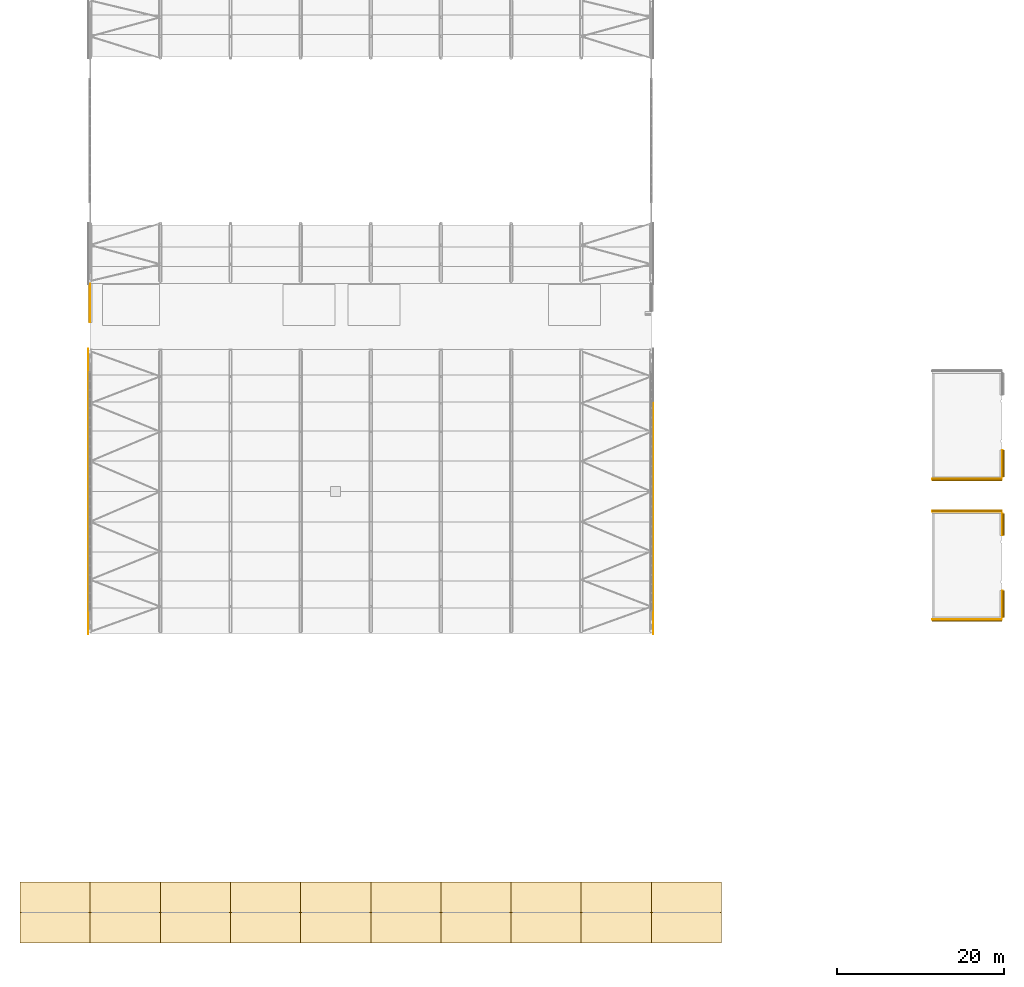
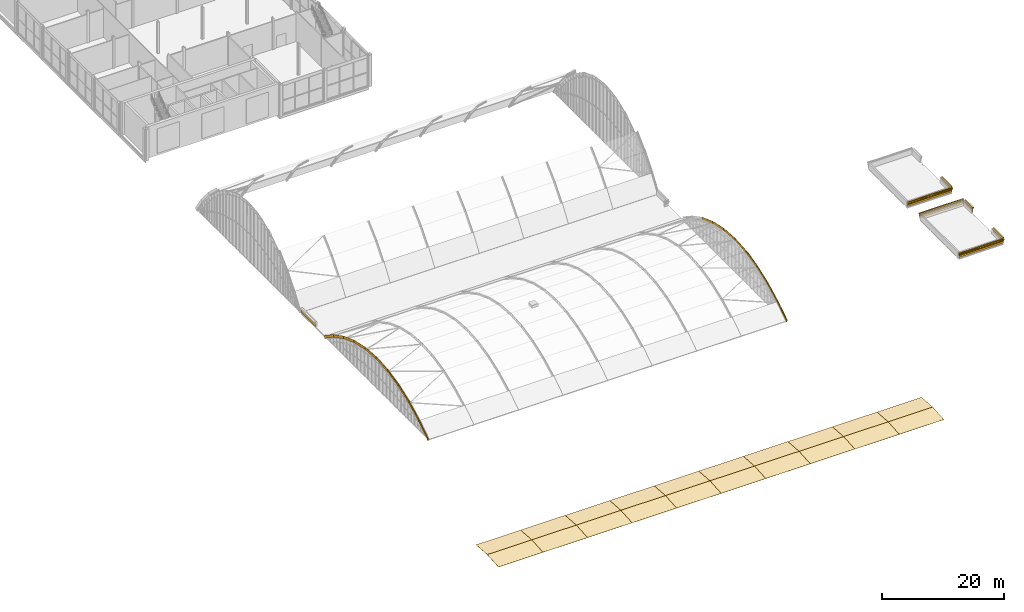
# One storey, part 70 of 77: 63 coverings.
"""IFC4 building model written with IfcOpenShell, lengths in metres."""

from ifc_helpers import new_model, si_unit, direction, frame, origin, origin_2d, place, context, subcontext, project, spatial, polyline, rectangle, outline, extrude, material, layer, layer_set, type_object, element, save


model = new_model("IFC4")

# Units and contexts
model_context = context("Model", 3, precision=1e-05, world=origin(), true_north=direction((0.0, 1.0)))
body_context = subcontext(model_context, "Body", "Model", "MODEL_VIEW")
ifc_project = project(units=[si_unit("LENGTHUNIT", "METRE"), si_unit("AREAUNIT", "SQUARE_METRE"), si_unit("VOLUMEUNIT", "CUBIC_METRE"), si_unit("PLANEANGLEUNIT", "RADIAN"), si_unit("MASSUNIT", "GRAM", prefix="KILO")], contexts=[model_context])

# Site, building, storey
site_placement = place(None, origin())
site = spatial("IfcSite", under=ifc_project, at=site_placement, CompositionType="ELEMENT")
building_placement = place(site_placement, origin())
building = spatial("IfcBuilding", under=site, at=building_placement, Name="Catenary Quay Ferry Terminal", CompositionType="ELEMENT")
storey_placement = place(building_placement, frame((0.0, 0.0, 10.800048828125)))
storey = spatial("IfcBuildingStorey", under=building, at=storey_placement, Name="L02", CompositionType="ELEMENT", Elevation=10.800048828125)

# Coverings
ifc_material_1 = material(Name="Pale glazed ceramic tile")
ifc_layer_1 = layer(ifc_material_1, 0.0400390625)
ifc_layer_set_1 = layer_set([ifc_layer_1], Name="AR1")
covering_type_1 = type_object("IfcCoveringType", Name="AR1", PredefinedType="CLADDING", material=ifc_layer_set_1)
covering_1_placement = place(storey_placement, frame((24.996826171875, 67.199951171875, 0.0), z_axis=(1.0, 0.0, 0.0), x_axis=(0.0, 0.831936388081, 0.554871017613)))
element("IfcCovering", 1, at=covering_1_placement, inside=storey, type_object=covering_type_1, Name="Archivolt band, arrivals vault gable", PredefinedType="CLADDING", context=body_context, shape_type="SweptSolid", body=[
    extrude(outline(polyline([(0.0, 0.0), (3.627761027752788, 2.220446049250313e-16), (3.6551517905300117, 0.4999829425589075), (0.00010265555468169651, 0.4999885452388287), (0.0, 0.0)])), origin(), (0.0, 0.0, -1.0), 0.0400390625),
])
covering_2_placement = place(storey_placement, frame((24.996826171875, 70.218017578125, 2.012939453125), z_axis=(1.0, 0.0, 0.0), x_axis=(0.0, 0.887609848797, 0.460596088041)))
element("IfcCovering", 2, at=covering_2_placement, inside=storey, type_object=covering_type_1, Name="Archivolt band, arrivals vault gable", PredefinedType="CLADDING", context=body_context, shape_type="SweptSolid", body=[
    extrude(outline(polyline([(0.0, 0.0), (3.6276869927576785, 2.220446049250313e-16), (3.6586770007903455, 0.5001950769907189), (-0.027432710160082335, 0.49998064277395277), (0.0, 0.0)])), origin(), (0.0, 0.0, -1.0), 0.0400390625),
])
covering_3_placement = place(storey_placement, frame((24.996826171875, 73.43798828125, 3.683837890625), z_axis=(1.0, 0.0, 0.0), x_axis=(0.0, 0.937641576687, 0.347603615728)))
element("IfcCovering", 3, at=covering_3_placement, inside=storey, type_object=covering_type_1, Name="Archivolt band, arrivals vault gable", PredefinedType="CLADDING", context=body_context, shape_type="SweptSolid", body=[
    extrude(outline(polyline([(0.0, 0.0), (3.62835831298576, 2.220446049250313e-16), (3.662370559005528, 0.49981355558075746), (-0.030939493043488087, 0.500198204128951), (0.0, 0.0)])), origin(), (0.0, 0.0, -1.0), 0.0400390625),
])
covering_4_placement = place(storey_placement, frame((24.996826171875, 76.840087890625, 4.945068359375), z_axis=(1.0, 0.0, 0.0), x_axis=(0.0, 0.976201307112, 0.216866336698)))
element("IfcCovering", 4, at=covering_4_placement, inside=storey, type_object=covering_type_1, Name="Archivolt band, arrivals vault gable", PredefinedType="CLADDING", context=body_context, shape_type="SweptSolid", body=[
    extrude(outline(polyline([(0.0, 0.0), (3.6283419840719344, 0.0), (3.6644288991202147, 0.5001711320949519), (-0.03427246308823012, 0.4997957797895597), (0.0, 0.0)])), origin(), (0.0, 0.0, -1.0), 0.0400390625),
])
covering_5_placement = place(storey_placement, frame((24.996826171875, 80.382080078125, 5.73193359375), z_axis=(1.0, 0.0, 0.0), x_axis=(0.0, 0.997266285305, 0.073891516382)))
element("IfcCovering", 5, at=covering_5_placement, inside=storey, type_object=covering_type_1, Name="Archivolt band, arrivals vault gable", PredefinedType="CLADDING", context=body_context, shape_type="SweptSolid", body=[
    extrude(outline(polyline([(0.0, 0.0), (3.6278373942694557, 0.0), (3.6648913919864206, 0.5000939819377984), (-0.03638484480061679, 0.5001495475232209), (0.0, 0.0)])), origin(), (0.0, 0.0, -1.0), 0.0400390625),
])
covering_6_placement = place(storey_placement, frame((24.996826171875, 84.0, 6.0), z_axis=(1.0, 0.0, 0.0), x_axis=(0.0, 0.997266285305, -0.073891516382)))
element("IfcCovering", 6, at=covering_6_placement, inside=storey, type_object=covering_type_1, Name="Archivolt band, arrivals vault gable", PredefinedType="CLADDING", context=body_context, shape_type="SweptSolid", body=[
    extrude(outline(polyline([(0.0, 0.0), (3.6278373942694557, 0.0), (3.6642222390700727, 0.5001495475232209), (-0.03705399771696489, 0.5000939819377984), (0.0, 0.0)])), origin(), (0.0, 0.0, -1.0), 0.0400390625),
])
covering_7_placement = place(storey_placement, frame((24.996826171875, 87.617919921875, 5.73193359375), z_axis=(1.0, 0.0, 0.0), x_axis=(0.0, 0.976201307112, -0.216866336698)))
element("IfcCovering", 7, at=covering_7_placement, inside=storey, type_object=covering_type_1, Name="Archivolt band, arrivals vault gable", PredefinedType="CLADDING", context=body_context, shape_type="SweptSolid", body=[
    extrude(outline(polyline([(0.0, 0.0), (3.6283419840719344, 0.0), (3.6626144471601645, 0.4997957797895597), (-0.03608691504828025, 0.500171132094952), (0.0, 0.0)])), origin(), (0.0, 0.0, -1.0), 0.0400390625),
])
covering_8_placement = place(storey_placement, frame((24.996826171875, 91.159912109375, 4.945068359375), z_axis=(1.0, 0.0, 0.0), x_axis=(0.0, 0.937641576687, -0.347603615728)))
element("IfcCovering", 8, at=covering_8_placement, inside=storey, type_object=covering_type_1, Name="Archivolt band, arrivals vault gable", PredefinedType="CLADDING", context=body_context, shape_type="SweptSolid", body=[
    extrude(outline(polyline([(0.0, 0.0), (3.62835831298576, -2.220446049250313e-16), (3.6592978060292483, 0.5001982041289509), (-0.034012246019767906, 0.49981355558075746), (0.0, 0.0)])), origin(), (0.0, 0.0, -1.0), 0.0400390625),
])
covering_9_placement = place(storey_placement, frame((24.996826171875, 94.56201171875, 3.683837890625), z_axis=(1.0, 0.0, 0.0), x_axis=(0.0, 0.887609848797, -0.460596088041)))
element("IfcCovering", 9, at=covering_9_placement, inside=storey, type_object=covering_type_1, Name="Archivolt band, arrivals vault gable", PredefinedType="CLADDING", context=body_context, shape_type="SweptSolid", body=[
    extrude(outline(polyline([(0.0, 0.0), (3.6276869927576785, -2.220446049250313e-16), (3.655119702917761, 0.4999806427739528), (-0.030990008032667188, 0.5001950769907186), (0.0, 0.0)])), origin(), (0.0, 0.0, -1.0), 0.0400390625),
])
covering_10_placement = place(storey_placement, frame((24.996826171875, 97.781982421875, 2.012939453125), z_axis=(1.0, 0.0, 0.0), x_axis=(0.0, 0.831936388081, -0.554871017613)))
element("IfcCovering", 10, at=covering_10_placement, inside=storey, type_object=covering_type_1, Name="Archivolt band, arrivals vault gable", PredefinedType="CLADDING", context=body_context, shape_type="SweptSolid", body=[
    extrude(outline(polyline([(0.0, 0.0), (3.627761027752788, -2.220446049250313e-16), (3.6276583721981064, 0.49998854523882863), (-0.02739076277722341, 0.49998294255890774), (0.0, 0.0)])), origin(), (0.0, 0.0, -1.0), 0.0400390625),
])
covering_11_placement = place(storey_placement, frame((92.603271484375, 66.922607421875, 0.416015625), z_axis=(-1.0, 0.0, 0.0), x_axis=(0.0, 0.83193723862, 0.55486974237)))
element("IfcCovering", 11, at=covering_11_placement, inside=storey, type_object=covering_type_1, Name="Archivolt band, arrivals vault gable", PredefinedType="CLADDING", context=body_context, shape_type="SweptSolid", body=[
    extrude(outline(polyline([(0.0, 0.0), (3.655049134979624, -2.220446049250313e-16), (3.6276591386064645, 0.4999829845445345), (-0.0001018891420617174, 0.4999885453955979), (0.0, 0.0)])), origin(), (0.0, 0.0, -1.0), 0.0400390625),
])
covering_12_placement = place(storey_placement, frame((92.603271484375, 69.96337890625, 2.444091796875), z_axis=(-1.0, 0.0, 0.0), x_axis=(0.0, 0.88758305277, 0.460647722708)))
element("IfcCovering", 12, at=covering_12_placement, inside=storey, type_object=covering_type_1, Name="Archivolt band, arrivals vault gable", PredefinedType="CLADDING", context=body_context, shape_type="SweptSolid", body=[
    extrude(outline(polyline([(0.0, 0.0), (3.6861097171876316, 0.0), (3.6550906110665995, 0.500193273344482), (0.027403624447268377, 0.4999822377870389), (0.0, 0.0)])), origin(), (0.0, 0.0, -1.0), 0.0400390625),
])
covering_13_placement = place(storey_placement, frame((92.603271484375, 73.235107421875, 4.14208984375), z_axis=(-1.0, 0.0, 0.0), x_axis=(0.0, 0.937677773606, 0.347505960934)))
element("IfcCovering", 13, at=covering_13_placement, inside=storey, type_object=covering_type_1, Name="Archivolt band, arrivals vault gable", PredefinedType="CLADDING", context=body_context, shape_type="SweptSolid", body=[
    extrude(outline(polyline([(0.0, 0.0), (3.693310072079085, 2.220446049250313e-16), (3.6593498805134614, 0.4998170951562324), (0.030991587205514037, 0.5001949791492302), (0.0, 0.0)])), origin(), (0.0, 0.0, -1.0), 0.0400390625),
])
covering_14_placement = place(storey_placement, frame((92.603271484375, 76.6982421875, 5.425537109375), z_axis=(-1.0, 0.0, 0.0), x_axis=(0.0, 0.976179294015, 0.216965402625)))
element("IfcCovering", 14, at=covering_14_placement, inside=storey, type_object=covering_type_1, Name="Archivolt band, arrivals vault gable", PredefinedType="CLADDING", context=body_context, shape_type="SweptSolid", body=[
    extrude(outline(polyline([(0.0, 0.0), (3.698701381254231, 0.0), (3.6625637079313926, 0.5001674673403493), (0.034221742542941955, 0.4997992552604623), (0.0, 0.0)])), origin(), (0.0, 0.0, -1.0), 0.0400390625),
])
covering_15_placement = place(storey_placement, frame((92.603271484375, 80.308837890625, 6.22802734375), z_axis=(-1.0, 0.0, 0.0), x_axis=(0.0, 0.997267394493, 0.073876544866)))
element("IfcCovering", 15, at=covering_15_placement, inside=storey, type_object=covering_type_1, Name="Archivolt band, arrivals vault gable", PredefinedType="CLADDING", context=body_context, shape_type="SweptSolid", body=[
    extrude(outline(polyline([(0.0, 0.0), (3.7012762372041283, 0.0), (3.664229747176011, 0.5000945381563455), (0.036392353315369566, 0.5001490012376482), (0.0, 0.0)])), origin(), (0.0, 0.0, -1.0), 0.0400390625),
])
covering_16_placement = place(storey_placement, frame((92.603271484375, 84.0, 6.50146484375), z_axis=(-1.0, 0.0, 0.0), x_axis=(0.0, 0.997267394493, -0.073876544866)))
element("IfcCovering", 16, at=covering_16_placement, inside=storey, type_object=covering_type_1, Name="Archivolt band, arrivals vault gable", PredefinedType="CLADDING", context=body_context, shape_type="SweptSolid", body=[
    extrude(outline(polyline([(0.0, 0.0), (3.7012762372041283, 0.0), (3.6648838838887587, 0.5001490012376482), (0.0370464900281174, 0.5000945381563455), (0.0, 0.0)])), origin(), (0.0, 0.0, -1.0), 0.0400390625),
])
covering_17_placement = place(storey_placement, frame((92.603271484375, 87.691162109375, 6.22802734375), z_axis=(-1.0, 0.0, 0.0), x_axis=(0.0, 0.976179294015, -0.216965402625)))
element("IfcCovering", 17, at=covering_17_placement, inside=storey, type_object=covering_type_1, Name="Archivolt band, arrivals vault gable", PredefinedType="CLADDING", context=body_context, shape_type="SweptSolid", body=[
    extrude(outline(polyline([(0.0, 0.0), (3.698701381254231, 0.0), (3.6644796387112892, 0.4997992552604624), (0.03613767332283853, 0.5001674673403494), (0.0, 0.0)])), origin(), (0.0, 0.0, -1.0), 0.0400390625),
])
covering_18_placement = place(storey_placement, frame((92.603271484375, 91.3017578125, 5.425537109375), z_axis=(-1.0, 0.0, 0.0), x_axis=(0.0, 0.937677773606, -0.347505960934)))
element("IfcCovering", 18, at=covering_18_placement, inside=storey, type_object=covering_type_1, Name="Archivolt band, arrivals vault gable", PredefinedType="CLADDING", context=body_context, shape_type="SweptSolid", body=[
    extrude(outline(polyline([(0.0, 0.0), (3.693310072079085, -2.220446049250313e-16), (3.6623184848735706, 0.5001949791492302), (0.03396019156562327, 0.49981709515623246), (0.0, 0.0)])), origin(), (0.0, 0.0, -1.0), 0.0400390625),
])
ifc_material_2 = material(Name="Facing brick", Category="masonry")
ifc_layer_2 = layer(ifc_material_2, 0.10009765625)
ifc_layer_set_2 = layer_set([ifc_layer_2], Name="CN1")
covering_type_2 = type_object("IfcCoveringType", Name="CN1", PredefinedType="CLADDING", material=ifc_layer_set_2)
covering_19_placement = place(storey_placement, frame((130.199951171875, 68.66259765625, 0.64990234375), z_axis=(0.0, 0.0, 1.0), x_axis=(1.0, 0.0, 0.0)))
element("IfcCovering", 19, at=covering_19_placement, inside=storey, type_object=covering_type_2, Name="Brick corbelled cornice", PredefinedType="CLADDING", context=body_context, shape_type="SweptSolid", body=[
    extrude(rectangle(XDim=8.360107421875, YDim=0.074951171875, at=origin_2d()), origin(), (0.0, 0.0, 1.0), 0.14990234375),
])
covering_20_placement = place(storey_placement, frame((130.199951171875, 68.625, 0.800048828125), z_axis=(0.0, 0.0, 1.0), x_axis=(1.0, 0.0, 0.0)))
element("IfcCovering", 20, at=covering_20_placement, inside=storey, type_object=covering_type_2, Name="Brick corbelled cornice", PredefinedType="CLADDING", context=body_context, shape_type="SweptSolid", body=[
    extrude(rectangle(XDim=8.360107421875, YDim=0.14990234375, at=origin_2d()), origin(), (0.0, 0.0, 1.0), 0.14990234375),
])
covering_21_placement = place(storey_placement, frame((130.199951171875, 68.58740234375, 0.949951171875), z_axis=(0.0, 0.0, 1.0), x_axis=(1.0, 0.0, 0.0)))
element("IfcCovering", 21, at=covering_21_placement, inside=storey, type_object=covering_type_2, Name="Brick corbelled cornice", PredefinedType="CLADDING", context=body_context, shape_type="SweptSolid", body=[
    extrude(rectangle(XDim=8.360107421875, YDim=0.22509765625, at=origin_2d()), origin(), (0.0, 0.0, 1.0), 0.14990234375),
])
covering_22_placement = place(storey_placement, frame((130.199951171875, 81.637451171875, 0.64990234375), z_axis=(0.0, 0.0, 1.0), x_axis=(1.0, 0.0, 0.0)))
element("IfcCovering", 22, at=covering_22_placement, inside=storey, type_object=covering_type_2, Name="Brick corbelled cornice", PredefinedType="CLADDING", context=body_context, shape_type="SweptSolid", body=[
    extrude(rectangle(XDim=8.360107421875, YDim=0.074951171875, at=origin_2d()), origin(), (0.0, 0.0, 1.0), 0.14990234375),
])
covering_23_placement = place(storey_placement, frame((130.199951171875, 81.675048828125, 0.800048828125), z_axis=(0.0, 0.0, 1.0), x_axis=(1.0, 0.0, 0.0)))
element("IfcCovering", 23, at=covering_23_placement, inside=storey, type_object=covering_type_2, Name="Brick corbelled cornice", PredefinedType="CLADDING", context=body_context, shape_type="SweptSolid", body=[
    extrude(rectangle(XDim=8.360107421875, YDim=0.14990234375, at=origin_2d()), origin(), (0.0, 0.0, 1.0), 0.14990234375),
])
covering_24_placement = place(storey_placement, frame((130.199951171875, 81.71240234375, 0.949951171875), z_axis=(0.0, 0.0, 1.0), x_axis=(1.0, 0.0, 0.0)))
element("IfcCovering", 24, at=covering_24_placement, inside=storey, type_object=covering_type_2, Name="Brick corbelled cornice", PredefinedType="CLADDING", context=body_context, shape_type="SweptSolid", body=[
    extrude(rectangle(XDim=8.360107421875, YDim=0.22509765625, at=origin_2d()), origin(), (0.0, 0.0, 1.0), 0.14990234375),
])
covering_25_placement = place(storey_placement, frame((130.199951171875, 85.46240234375, 0.64990234375), z_axis=(0.0, 0.0, 1.0), x_axis=(1.0, 0.0, 0.0)))
element("IfcCovering", 25, at=covering_25_placement, inside=storey, type_object=covering_type_2, Name="Brick corbelled cornice", PredefinedType="CLADDING", context=body_context, shape_type="SweptSolid", body=[
    extrude(rectangle(XDim=8.360107421875, YDim=0.074951171875, at=origin_2d()), origin(), (0.0, 0.0, 1.0), 0.14990234375),
])
covering_26_placement = place(storey_placement, frame((130.199951171875, 85.425048828125, 0.800048828125), z_axis=(0.0, 0.0, 1.0), x_axis=(1.0, 0.0, 0.0)))
element("IfcCovering", 26, at=covering_26_placement, inside=storey, type_object=covering_type_2, Name="Brick corbelled cornice", PredefinedType="CLADDING", context=body_context, shape_type="SweptSolid", body=[
    extrude(rectangle(XDim=8.360107421875, YDim=0.14990234375, at=origin_2d()), origin(), (0.0, 0.0, 1.0), 0.14990234375),
])
covering_27_placement = place(storey_placement, frame((130.199951171875, 85.387451171875, 0.949951171875), z_axis=(0.0, 0.0, 1.0), x_axis=(1.0, 0.0, 0.0)))
element("IfcCovering", 27, at=covering_27_placement, inside=storey, type_object=covering_type_2, Name="Brick corbelled cornice", PredefinedType="CLADDING", context=body_context, shape_type="SweptSolid", body=[
    extrude(rectangle(XDim=8.360107421875, YDim=0.22509765625, at=origin_2d()), origin(), (0.0, 0.0, 1.0), 0.14990234375),
])
covering_28_placement = place(storey_placement, frame((134.4375, 80.050048828125, 0.64990234375), z_axis=(0.0, 0.0, 1.0), x_axis=(1.0, 0.0, 0.0)))
element("IfcCovering", 28, at=covering_28_placement, inside=storey, type_object=covering_type_2, Name="Brick corbelled cornice", PredefinedType="CLADDING", context=body_context, shape_type="SweptSolid", body=[
    extrude(rectangle(XDim=0.074951171875, YDim=2.56005859375, at=origin_2d()), origin(), (0.0, 0.0, 1.0), 0.14990234375),
])
covering_29_placement = place(storey_placement, frame((134.47509765625, 80.050048828125, 0.800048828125), z_axis=(0.0, 0.0, 1.0), x_axis=(1.0, 0.0, 0.0)))
element("IfcCovering", 29, at=covering_29_placement, inside=storey, type_object=covering_type_2, Name="Brick corbelled cornice", PredefinedType="CLADDING", context=body_context, shape_type="SweptSolid", body=[
    extrude(rectangle(XDim=0.14990234375, YDim=2.56005859375, at=origin_2d()), origin(), (0.0, 0.0, 1.0), 0.14990234375),
])
covering_30_placement = place(storey_placement, frame((134.512451171875, 80.050048828125, 0.949951171875), z_axis=(0.0, 0.0, 1.0), x_axis=(1.0, 0.0, 0.0)))
element("IfcCovering", 30, at=covering_30_placement, inside=storey, type_object=covering_type_2, Name="Brick corbelled cornice", PredefinedType="CLADDING", context=body_context, shape_type="SweptSolid", body=[
    extrude(rectangle(XDim=0.22509765625, YDim=2.56005859375, at=origin_2d()), origin(), (0.0, 0.0, 1.0), 0.14990234375),
])
covering_31_placement = place(storey_placement, frame((134.4375, 70.550048828125, 0.64990234375), z_axis=(0.0, 0.0, 1.0), x_axis=(1.0, 0.0, 0.0)))
element("IfcCovering", 31, at=covering_31_placement, inside=storey, type_object=covering_type_2, Name="Brick corbelled cornice", PredefinedType="CLADDING", context=body_context, shape_type="SweptSolid", body=[
    extrude(rectangle(XDim=0.074951171875, YDim=3.159912109375, at=origin_2d()), origin(), (0.0, 0.0, 1.0), 0.14990234375),
])
covering_32_placement = place(storey_placement, frame((134.47509765625, 70.550048828125, 0.800048828125), z_axis=(0.0, 0.0, 1.0), x_axis=(1.0, 0.0, 0.0)))
element("IfcCovering", 32, at=covering_32_placement, inside=storey, type_object=covering_type_2, Name="Brick corbelled cornice", PredefinedType="CLADDING", context=body_context, shape_type="SweptSolid", body=[
    extrude(rectangle(XDim=0.14990234375, YDim=3.159912109375, at=origin_2d()), origin(), (0.0, 0.0, 1.0), 0.14990234375),
])
covering_33_placement = place(storey_placement, frame((134.512451171875, 70.550048828125, 0.949951171875), z_axis=(0.0, 0.0, 1.0), x_axis=(1.0, 0.0, 0.0)))
element("IfcCovering", 33, at=covering_33_placement, inside=storey, type_object=covering_type_2, Name="Brick corbelled cornice", PredefinedType="CLADDING", context=body_context, shape_type="SweptSolid", body=[
    extrude(rectangle(XDim=0.22509765625, YDim=3.159912109375, at=origin_2d()), origin(), (0.0, 0.0, 1.0), 0.14990234375),
])
covering_34_placement = place(storey_placement, frame((134.4375, 87.35009765625, 0.64990234375), z_axis=(0.0, 0.0, 1.0), x_axis=(1.0, 0.0, 0.0)))
element("IfcCovering", 34, at=covering_34_placement, inside=storey, type_object=covering_type_2, Name="Brick corbelled cornice", PredefinedType="CLADDING", context=body_context, shape_type="SweptSolid", body=[
    extrude(rectangle(XDim=0.074951171875, YDim=3.159912109375, at=origin_2d()), origin(), (0.0, 0.0, 1.0), 0.14990234375),
])
covering_35_placement = place(storey_placement, frame((134.47509765625, 87.35009765625, 0.800048828125), z_axis=(0.0, 0.0, 1.0), x_axis=(1.0, 0.0, 0.0)))
element("IfcCovering", 35, at=covering_35_placement, inside=storey, type_object=covering_type_2, Name="Brick corbelled cornice", PredefinedType="CLADDING", context=body_context, shape_type="SweptSolid", body=[
    extrude(rectangle(XDim=0.14990234375, YDim=3.159912109375, at=origin_2d()), origin(), (0.0, 0.0, 1.0), 0.14990234375),
])
covering_36_placement = place(storey_placement, frame((134.512451171875, 87.35009765625, 0.949951171875), z_axis=(0.0, 0.0, 1.0), x_axis=(1.0, 0.0, 0.0)))
element("IfcCovering", 36, at=covering_36_placement, inside=storey, type_object=covering_type_2, Name="Brick corbelled cornice", PredefinedType="CLADDING", context=body_context, shape_type="SweptSolid", body=[
    extrude(rectangle(XDim=0.22509765625, YDim=3.159912109375, at=origin_2d()), origin(), (0.0, 0.0, 1.0), 0.14990234375),
])
ifc_material_3 = material(Name="Ceramic tile")
ifc_layer_3 = layer(ifc_material_3, 0.030029296875)
ifc_layer_set_3 = layer_set([ifc_layer_3], Name="FR1")
covering_type_3 = type_object("IfcCoveringType", Name="FR1", PredefinedType="CLADDING", material=ifc_layer_set_3)
for number, where, z_axis, x_axis, name in (
    (37, (130.199951171875, 68.68505859375, 0.2001953125), (0.0, 0.0, 1.0), (1.0, 0.0, 0.0), "Glazed tile frieze"),
    (38, (130.199951171875, 81.614990234375, 0.2001953125), (0.0, 0.0, 1.0), (1.0, 0.0, 0.0), "Glazed tile frieze"),
    (39, (130.199951171875, 85.485107421875, 0.2001953125), (0.0, 0.0, 1.0), (1.0, 0.0, 0.0), "Glazed tile frieze"),
):
    element("IfcCovering", number, at=place(storey_placement, frame(where, z_axis=z_axis, x_axis=x_axis)), inside=storey, type_object=covering_type_3, Name=name, PredefinedType="CLADDING", context=body_context, shape_type="SweptSolid", body=[
        extrude(rectangle(XDim=8.360107421875, YDim=0.030029296875, at=origin_2d()), origin(), (0.0, 0.0, 1.0), 0.449951171875),
    ])
covering_37_placement = place(storey_placement, frame((134.4150390625, 80.050048828125, 0.2001953125), z_axis=(0.0, 0.0, 1.0), x_axis=(1.0, 0.0, 0.0)))
element("IfcCovering", 40, at=covering_37_placement, inside=storey, type_object=covering_type_3, Name="Glazed tile frieze", PredefinedType="CLADDING", context=body_context, shape_type="SweptSolid", body=[
    extrude(rectangle(XDim=0.030029296875, YDim=2.56005859375, at=origin_2d()), origin(), (0.0, 0.0, 1.0), 0.449951171875),
])
for number, where, z_axis, x_axis, name in (
    (41, (134.4150390625, 70.550048828125, 0.2001953125), (0.0, 0.0, 1.0), (1.0, 0.0, 0.0), "Glazed tile frieze"),
    (42, (134.4150390625, 87.35009765625, 0.2001953125), (0.0, 0.0, 1.0), (1.0, 0.0, 0.0), "Glazed tile frieze"),
):
    element("IfcCovering", number, at=place(storey_placement, frame(where, z_axis=z_axis, x_axis=x_axis)), inside=storey, type_object=covering_type_3, Name=name, PredefinedType="CLADDING", context=body_context, shape_type="SweptSolid", body=[
        extrude(rectangle(XDim=0.030029296875, YDim=3.159912109375, at=origin_2d()), origin(), (0.0, 0.0, 1.0), 0.449951171875),
    ])
covering_38_placement = place(storey_placement, frame((25.18505859375, 106.574951171875, 0.2001953125), z_axis=(0.0, 0.0, 1.0), x_axis=(1.0, 0.0, 0.0)))
element("IfcCovering", 43, at=covering_38_placement, inside=storey, type_object=covering_type_3, Name="Glazed tile frieze", PredefinedType="CLADDING", context=body_context, shape_type="SweptSolid", body=[
    extrude(rectangle(XDim=0.030029296875, YDim=4.610107421875, at=origin_2d()), origin(), (0.0, 0.0, 1.0), 0.449951171875),
])
ifc_material_4 = material(Name="Laminated glass", Category="glass")
ifc_layer_4 = layer(ifc_material_4, 0.030029296875)
ifc_layer_set_4 = layer_set([ifc_layer_4], Name="RF2")
covering_type_4 = type_object("IfcCoveringType", Name="RF2", PredefinedType="ROOFING", material=ifc_layer_set_4)
covering_39_placement = place(storey_placement, frame((16.800048828125, 29.9384765625, 0.227294921875), z_axis=(0.0, -0.073874134793, 0.997267573026), x_axis=(1.0, 0.0, 0.0)))
element("IfcCovering", 44, at=covering_39_placement, inside=storey, type_object=covering_type_4, Name="Vehicle Deck canopy roof", PredefinedType="ROOFING", context=body_context, shape_type="SweptSolid", body=[
    extrude(outline(polyline([(0.0, 0.0), (8.39990234375, 0.0), (8.39990234375, 3.6716536191393043), (0.0, 3.6716536191393043), (0.0, 0.0)])), origin(), (0.0, 0.0, -1.0), 0.030029296875),
])
covering_40_placement = place(storey_placement, frame((16.800048828125, 33.60009765625, 0.49853515625), z_axis=(0.0, 0.073879033836, 0.997267210109), x_axis=(1.0, 0.0, 0.0)))
element("IfcCovering", 45, at=covering_40_placement, inside=storey, type_object=covering_type_4, Name="Vehicle Deck canopy roof", PredefinedType="ROOFING", context=body_context, shape_type="SweptSolid", body=[
    extrude(outline(polyline([(0.0, 0.0), (8.39990234375, 0.0), (8.39990234375, 3.671410145655033), (0.0, 3.671410145655033), (0.0, 0.0)])), origin(), (0.0, 0.0, -1.0), 0.030029296875),
])
covering_41_placement = place(storey_placement, frame((25.199951171875, 29.9384765625, 0.227294921875), z_axis=(0.0, -0.073874134793, 0.997267573026), x_axis=(1.0, 0.0, 0.0)))
element("IfcCovering", 46, at=covering_41_placement, inside=storey, type_object=covering_type_4, Name="Vehicle Deck canopy roof", PredefinedType="ROOFING", context=body_context, shape_type="SweptSolid", body=[
    extrude(outline(polyline([(0.0, 0.0), (8.400146484375, 0.0), (8.400146484375, 3.6716536191393043), (0.0, 3.6716536191393043), (0.0, 0.0)])), origin(), (0.0, 0.0, -1.0), 0.030029296875),
])
covering_42_placement = place(storey_placement, frame((25.199951171875, 33.60009765625, 0.49853515625), z_axis=(0.0, 0.073879033836, 0.997267210109), x_axis=(1.0, 0.0, 0.0)))
element("IfcCovering", 47, at=covering_42_placement, inside=storey, type_object=covering_type_4, Name="Vehicle Deck canopy roof", PredefinedType="ROOFING", context=body_context, shape_type="SweptSolid", body=[
    extrude(outline(polyline([(0.0, 0.0), (8.400146484375, 0.0), (8.400146484375, 3.6714101456550337), (0.0, 3.6714101456550337), (0.0, 0.0)])), origin(), (0.0, 0.0, -1.0), 0.030029296875),
])
covering_43_placement = place(storey_placement, frame((33.60009765625, 29.9384765625, 0.227294921875), z_axis=(0.0, -0.073874134793, 0.997267573026), x_axis=(1.0, 0.0, 0.0)))
element("IfcCovering", 48, at=covering_43_placement, inside=storey, type_object=covering_type_4, Name="Vehicle Deck canopy roof", PredefinedType="ROOFING", context=body_context, shape_type="SweptSolid", body=[
    extrude(outline(polyline([(0.0, 0.0), (8.39990234375, 0.0), (8.39990234375, 3.6716536191393043), (0.0, 3.6716536191393043), (0.0, 0.0)])), origin(), (0.0, 0.0, -1.0), 0.030029296875),
])
covering_44_placement = place(storey_placement, frame((33.60009765625, 33.60009765625, 0.49853515625), z_axis=(0.0, 0.073879033836, 0.997267210109), x_axis=(1.0, 0.0, 0.0)))
element("IfcCovering", 49, at=covering_44_placement, inside=storey, type_object=covering_type_4, Name="Vehicle Deck canopy roof", PredefinedType="ROOFING", context=body_context, shape_type="SweptSolid", body=[
    extrude(outline(polyline([(0.0, 0.0), (8.39990234375, 0.0), (8.39990234375, 3.671410145655033), (0.0, 3.671410145655033), (0.0, 0.0)])), origin(), (0.0, 0.0, -1.0), 0.030029296875),
])
covering_45_placement = place(storey_placement, frame((42.0, 29.9384765625, 0.227294921875), z_axis=(0.0, -0.073874134793, 0.997267573026), x_axis=(1.0, 0.0, 0.0)))
element("IfcCovering", 50, at=covering_45_placement, inside=storey, type_object=covering_type_4, Name="Vehicle Deck canopy roof", PredefinedType="ROOFING", context=body_context, shape_type="SweptSolid", body=[
    extrude(outline(polyline([(0.0, 0.0), (8.39990234375, 0.0), (8.39990234375, 3.6716536191393043), (0.0, 3.6716536191393043), (0.0, 0.0)])), origin(), (0.0, 0.0, -1.0), 0.030029296875),
])
covering_46_placement = place(storey_placement, frame((42.0, 33.60009765625, 0.49853515625), z_axis=(0.0, 0.073879033836, 0.997267210109), x_axis=(1.0, 0.0, 0.0)))
element("IfcCovering", 51, at=covering_46_placement, inside=storey, type_object=covering_type_4, Name="Vehicle Deck canopy roof", PredefinedType="ROOFING", context=body_context, shape_type="SweptSolid", body=[
    extrude(outline(polyline([(0.0, 0.0), (8.39990234375, 0.0), (8.39990234375, 3.671410145655033), (0.0, 3.671410145655033), (0.0, 0.0)])), origin(), (0.0, 0.0, -1.0), 0.030029296875),
])
covering_47_placement = place(storey_placement, frame((50.39990234375, 29.9384765625, 0.227294921875), z_axis=(0.0, -0.073874134793, 0.997267573026), x_axis=(1.0, 0.0, 0.0)))
element("IfcCovering", 52, at=covering_47_placement, inside=storey, type_object=covering_type_4, Name="Vehicle Deck canopy roof", PredefinedType="ROOFING", context=body_context, shape_type="SweptSolid", body=[
    extrude(outline(polyline([(0.0, 0.0), (8.400146484375, 0.0), (8.400146484375, 3.6716536191393043), (0.0, 3.6716536191393043), (0.0, 0.0)])), origin(), (0.0, 0.0, -1.0), 0.030029296875),
])
covering_48_placement = place(storey_placement, frame((50.39990234375, 33.60009765625, 0.49853515625), z_axis=(0.0, 0.073879033836, 0.997267210109), x_axis=(1.0, 0.0, 0.0)))
element("IfcCovering", 53, at=covering_48_placement, inside=storey, type_object=covering_type_4, Name="Vehicle Deck canopy roof", PredefinedType="ROOFING", context=body_context, shape_type="SweptSolid", body=[
    extrude(outline(polyline([(0.0, 0.0), (8.400146484375, 0.0), (8.400146484375, 3.6714101456550337), (0.0, 3.6714101456550337), (0.0, 0.0)])), origin(), (0.0, 0.0, -1.0), 0.030029296875),
])
covering_49_placement = place(storey_placement, frame((58.800048828125, 29.9384765625, 0.227294921875), z_axis=(0.0, -0.073874134793, 0.997267573026), x_axis=(1.0, 0.0, 0.0)))
element("IfcCovering", 54, at=covering_49_placement, inside=storey, type_object=covering_type_4, Name="Vehicle Deck canopy roof", PredefinedType="ROOFING", context=body_context, shape_type="SweptSolid", body=[
    extrude(outline(polyline([(0.0, 0.0), (8.39990234375, 0.0), (8.39990234375, 3.6716536191393043), (0.0, 3.6716536191393043), (0.0, 0.0)])), origin(), (0.0, 0.0, -1.0), 0.030029296875),
])
covering_50_placement = place(storey_placement, frame((58.800048828125, 33.60009765625, 0.49853515625), z_axis=(0.0, 0.073879033836, 0.997267210109), x_axis=(1.0, 0.0, 0.0)))
element("IfcCovering", 55, at=covering_50_placement, inside=storey, type_object=covering_type_4, Name="Vehicle Deck canopy roof", PredefinedType="ROOFING", context=body_context, shape_type="SweptSolid", body=[
    extrude(outline(polyline([(0.0, 0.0), (8.39990234375, 0.0), (8.39990234375, 3.671410145655033), (0.0, 3.671410145655033), (0.0, 0.0)])), origin(), (0.0, 0.0, -1.0), 0.030029296875),
])
covering_51_placement = place(storey_placement, frame((67.199951171875, 29.9384765625, 0.227294921875), z_axis=(0.0, -0.073874134793, 0.997267573026), x_axis=(1.0, 0.0, 0.0)))
element("IfcCovering", 56, at=covering_51_placement, inside=storey, type_object=covering_type_4, Name="Vehicle Deck canopy roof", PredefinedType="ROOFING", context=body_context, shape_type="SweptSolid", body=[
    extrude(outline(polyline([(0.0, 0.0), (8.400146484375, 0.0), (8.400146484375, 3.6716536191393043), (0.0, 3.6716536191393043), (0.0, 0.0)])), origin(), (0.0, 0.0, -1.0), 0.030029296875),
])
covering_52_placement = place(storey_placement, frame((67.199951171875, 33.60009765625, 0.49853515625), z_axis=(0.0, 0.073879033836, 0.997267210109), x_axis=(1.0, 0.0, 0.0)))
element("IfcCovering", 57, at=covering_52_placement, inside=storey, type_object=covering_type_4, Name="Vehicle Deck canopy roof", PredefinedType="ROOFING", context=body_context, shape_type="SweptSolid", body=[
    extrude(outline(polyline([(0.0, 0.0), (8.400146484375, 0.0), (8.400146484375, 3.6714101456550337), (0.0, 3.6714101456550337), (0.0, 0.0)])), origin(), (0.0, 0.0, -1.0), 0.030029296875),
])
covering_53_placement = place(storey_placement, frame((75.60009765625, 29.9384765625, 0.227294921875), z_axis=(0.0, -0.073874134793, 0.997267573026), x_axis=(1.0, 0.0, 0.0)))
element("IfcCovering", 58, at=covering_53_placement, inside=storey, type_object=covering_type_4, Name="Vehicle Deck canopy roof", PredefinedType="ROOFING", context=body_context, shape_type="SweptSolid", body=[
    extrude(outline(polyline([(0.0, 0.0), (8.39990234375, 0.0), (8.39990234375, 3.6716536191393043), (0.0, 3.6716536191393043), (0.0, 0.0)])), origin(), (0.0, 0.0, -1.0), 0.030029296875),
])
covering_54_placement = place(storey_placement, frame((75.60009765625, 33.60009765625, 0.49853515625), z_axis=(0.0, 0.073879033836, 0.997267210109), x_axis=(1.0, 0.0, 0.0)))
element("IfcCovering", 59, at=covering_54_placement, inside=storey, type_object=covering_type_4, Name="Vehicle Deck canopy roof", PredefinedType="ROOFING", context=body_context, shape_type="SweptSolid", body=[
    extrude(outline(polyline([(0.0, 0.0), (8.39990234375, 0.0), (8.39990234375, 3.671410145655033), (0.0, 3.671410145655033), (0.0, 0.0)])), origin(), (0.0, 0.0, -1.0), 0.030029296875),
])
covering_55_placement = place(storey_placement, frame((84.0, 29.9384765625, 0.227294921875), z_axis=(0.0, -0.073874134793, 0.997267573026), x_axis=(1.0, 0.0, 0.0)))
element("IfcCovering", 60, at=covering_55_placement, inside=storey, type_object=covering_type_4, Name="Vehicle Deck canopy roof", PredefinedType="ROOFING", context=body_context, shape_type="SweptSolid", body=[
    extrude(outline(polyline([(0.0, 0.0), (8.39990234375, 0.0), (8.39990234375, 3.6716536191393043), (0.0, 3.6716536191393043), (0.0, 0.0)])), origin(), (0.0, 0.0, -1.0), 0.030029296875),
])
covering_56_placement = place(storey_placement, frame((84.0, 33.60009765625, 0.49853515625), z_axis=(0.0, 0.073879033836, 0.997267210109), x_axis=(1.0, 0.0, 0.0)))
element("IfcCovering", 61, at=covering_56_placement, inside=storey, type_object=covering_type_4, Name="Vehicle Deck canopy roof", PredefinedType="ROOFING", context=body_context, shape_type="SweptSolid", body=[
    extrude(outline(polyline([(0.0, 0.0), (8.39990234375, 0.0), (8.39990234375, 3.671410145655033), (0.0, 3.671410145655033), (0.0, 0.0)])), origin(), (0.0, 0.0, -1.0), 0.030029296875),
])
covering_57_placement = place(storey_placement, frame((92.39990234375, 29.9384765625, 0.227294921875), z_axis=(0.0, -0.073874134793, 0.997267573026), x_axis=(1.0, 0.0, 0.0)))
element("IfcCovering", 62, at=covering_57_placement, inside=storey, type_object=covering_type_4, Name="Vehicle Deck canopy roof", PredefinedType="ROOFING", context=body_context, shape_type="SweptSolid", body=[
    extrude(outline(polyline([(0.0, 0.0), (8.400146484375, 0.0), (8.400146484375, 3.6716536191393043), (0.0, 3.6716536191393043), (0.0, 0.0)])), origin(), (0.0, 0.0, -1.0), 0.030029296875),
])
covering_58_placement = place(storey_placement, frame((92.39990234375, 33.60009765625, 0.49853515625), z_axis=(0.0, 0.073879033836, 0.997267210109), x_axis=(1.0, 0.0, 0.0)))
element("IfcCovering", 63, at=covering_58_placement, inside=storey, type_object=covering_type_4, Name="Vehicle Deck canopy roof", PredefinedType="ROOFING", context=body_context, shape_type="SweptSolid", body=[
    extrude(outline(polyline([(0.0, 0.0), (8.400146484375, 0.0), (8.400146484375, 3.6714101456550337), (0.0, 3.6714101456550337), (0.0, 0.0)])), origin(), (0.0, 0.0, -1.0), 0.030029296875),
])

save(model, "model.ifc")
